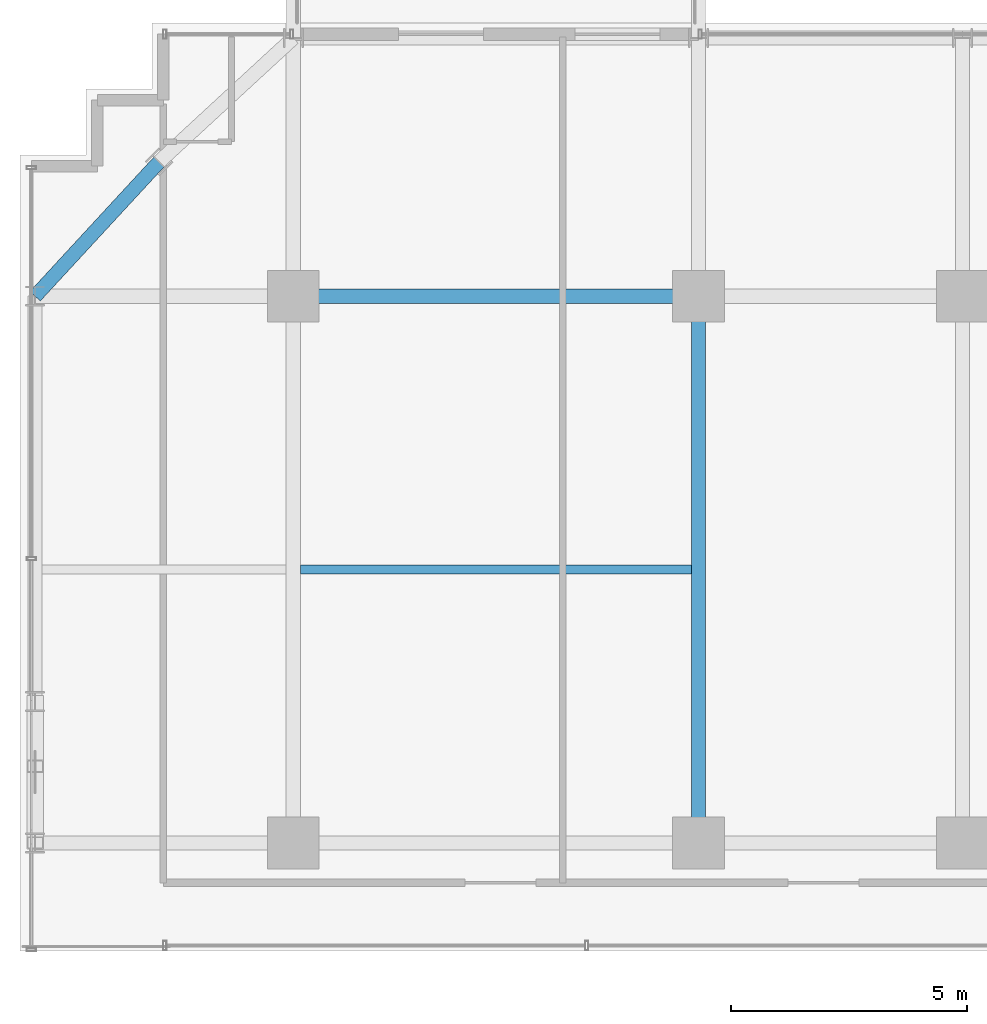
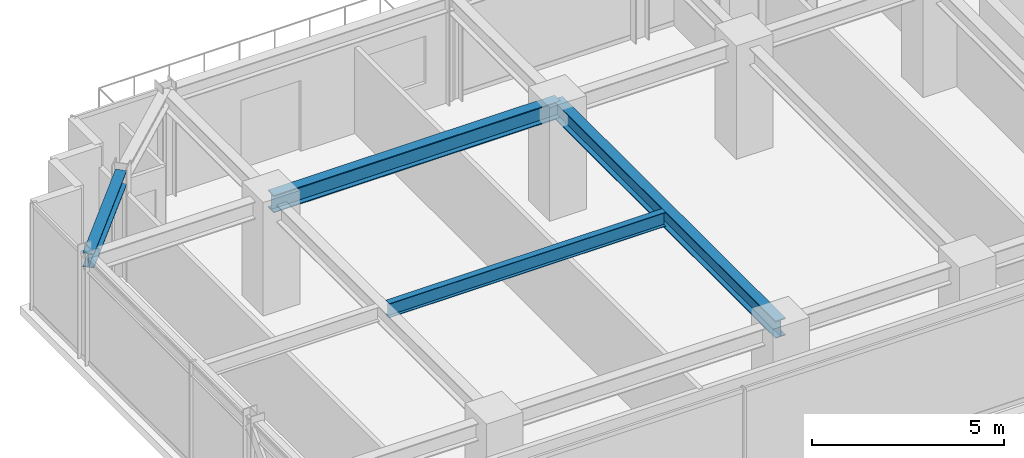
# One storey, part 21 of 36: 4 beams.
"""IFC4 building model written with IfcOpenShell, lengths in metres."""

from ifc_helpers import new_model, si_unit, direction, frame, origin, origin_2d, place, context, subcontext, project, spatial, i_section, extrude, source, transform, mapped, material, material_profile, profile_set, type_object, element, save


model = new_model("IFC4")

# Units and contexts
model_context = context("Model", 3, precision=1e-05, world=origin(), true_north=direction((0.0, 1.0)))
body_context = subcontext(model_context, "Body", "Model", "MODEL_VIEW")
ifc_project = project(units=[si_unit("LENGTHUNIT", "METRE"), si_unit("AREAUNIT", "SQUARE_METRE"), si_unit("VOLUMEUNIT", "CUBIC_METRE"), si_unit("PLANEANGLEUNIT", "RADIAN"), si_unit("MASSUNIT", "GRAM", prefix="KILO")], contexts=[model_context])

# Site, building, storey
site_placement = place(None, origin())
site = spatial("IfcSite", under=ifc_project, at=site_placement, CompositionType="ELEMENT")
building_placement = place(site_placement, origin())
building = spatial("IfcBuilding", under=site, at=building_placement, Name="Nahalor Promenade Grand Hotel", CompositionType="ELEMENT")
storey_placement = place(building_placement, frame((0.0, 0.0, 174.550048828125)))
storey = spatial("IfcBuildingStorey", under=building, at=storey_placement, Name="L44", CompositionType="ELEMENT", Elevation=174.550048828125)

# Beams
ifc_material = material(Name="Steel S355JR", Category="steel")
ifc_material_profile_1 = material_profile(ifc_material, i_section(OverallWidth=0.3, OverallDepth=0.55, WebThickness=0.015, FlangeThickness=0.029, at=origin_2d()), Name="HEB 550")
ifc_profile_set_1 = profile_set([ifc_material_profile_1], Name="Steel S355JR")
beam_type_1 = type_object("IfcBeamType", Name="Beam-Girder-HEB550", PredefinedType="BEAM", material=ifc_profile_set_1)
shared_shape_1 = source(origin(), body_context, "Body", "SweptSolid", [
    extrude(i_section(OverallWidth=0.3, OverallDepth=0.55, WebThickness=0.015, FlangeThickness=0.029, at=origin_2d()), origin(), (0.0, 0.0, 1.0), 8.60009765625),
])
beam_1_placement = place(storey_placement, frame((-17.0, 17.0, 3.114990234375), z_axis=(1.0, 0.0, 0.0), x_axis=(0.0, 1.0, 0.0)))
element("IfcBeam", 1, at=beam_1_placement, inside=storey, type_object=beam_type_1, Name="BM-L44-GX-3-1", PredefinedType="BEAM", context=body_context, shape_type="MappedRepresentation", body=[
    mapped(shared_shape_1, transform((0.0, 0.0, 0.0), scale=1.0)),
])
shared_shape_2 = source(origin(), body_context, "Body", "SweptSolid", [
    extrude(i_section(OverallWidth=0.3, OverallDepth=0.55, WebThickness=0.015, FlangeThickness=0.029, at=origin_2d()), origin(), (0.0, 0.0, 1.0), 11.60009765625),
])
beam_2_placement = place(storey_placement, frame((-8.39990234375, 5.39990234375, 3.114990234375), z_axis=(0.0, 1.0, 0.0), x_axis=(-1.0, 0.0, 0.0)))
element("IfcBeam", 2, at=beam_2_placement, inside=storey, type_object=beam_type_1, Name="BM-L44-GY-1-3", PredefinedType="BEAM", context=body_context, shape_type="MappedRepresentation", body=[
    mapped(shared_shape_2, transform((0.0, 0.0, 0.0), scale=1.0)),
])
ifc_material_profile_2 = material_profile(ifc_material, i_section(OverallWidth=0.19, OverallDepth=0.45, WebThickness=0.0094, FlangeThickness=0.0146, at=origin_2d()), Name="IPE 450")
ifc_profile_set_2 = profile_set([ifc_material_profile_2], Name="Steel S355JR")
beam_type_2 = type_object("IfcBeamType", Name="Beam-Joist-IPE450", PredefinedType="JOIST", material=ifc_profile_set_2)
shared_shape_3 = source(origin(), body_context, "Body", "SweptSolid", [
    extrude(i_section(OverallWidth=0.19, OverallDepth=0.45, WebThickness=0.0094, FlangeThickness=0.0146, at=origin_2d()), origin(), (0.0, 0.0, 1.0), 8.300048828125),
])
beam_3_placement = place(storey_placement, frame((-16.85009765625, 11.199951171875, 3.1650390625), z_axis=(1.0, 0.0, 0.0), x_axis=(0.0, 1.0, 0.0)))
element("IfcBeam", 3, at=beam_3_placement, inside=storey, type_object=beam_type_2, Name="BM-L44-JSW-1-1", PredefinedType="JOIST", context=body_context, shape_type="MappedRepresentation", body=[
    mapped(shared_shape_3, transform((0.0, 0.0, 0.0), scale=1.0)),
])
ifc_material_profile_3 = material_profile(ifc_material, i_section(OverallWidth=0.3, OverallDepth=0.45, WebThickness=0.014, FlangeThickness=0.026, at=origin_2d()), Name="HEB 450")
ifc_profile_set_3 = profile_set([ifc_material_profile_3], Name="Steel S355JR")
beam_type_3 = type_object("IfcBeamType", Name="Beam-Spandrel-HEB450", PredefinedType="SPANDREL", material=ifc_profile_set_3)
shared_shape_4 = source(origin(), body_context, "Body", "SweptSolid", [
    extrude(i_section(OverallWidth=0.3, OverallDepth=0.45, WebThickness=0.014, FlangeThickness=0.026, at=origin_2d()), origin(), (0.0, 0.0, 1.0), 3.878173828125),
])
beam_4_placement = place(storey_placement, frame((-19.85009765625, 19.85009765625, 3.1650390625), z_axis=(-0.678144125843, -0.73492893846, 0.0), x_axis=(0.73492893846, -0.678144125843, 0.0)))
element("IfcBeam", 4, at=beam_4_placement, inside=storey, type_object=beam_type_3, Name="BM-L44-SPC-NW-2", PredefinedType="SPANDREL", context=body_context, shape_type="MappedRepresentation", body=[
    mapped(shared_shape_4, transform((0.0, 0.0, 0.0), scale=1.0)),
])

save(model, "model.ifc")
